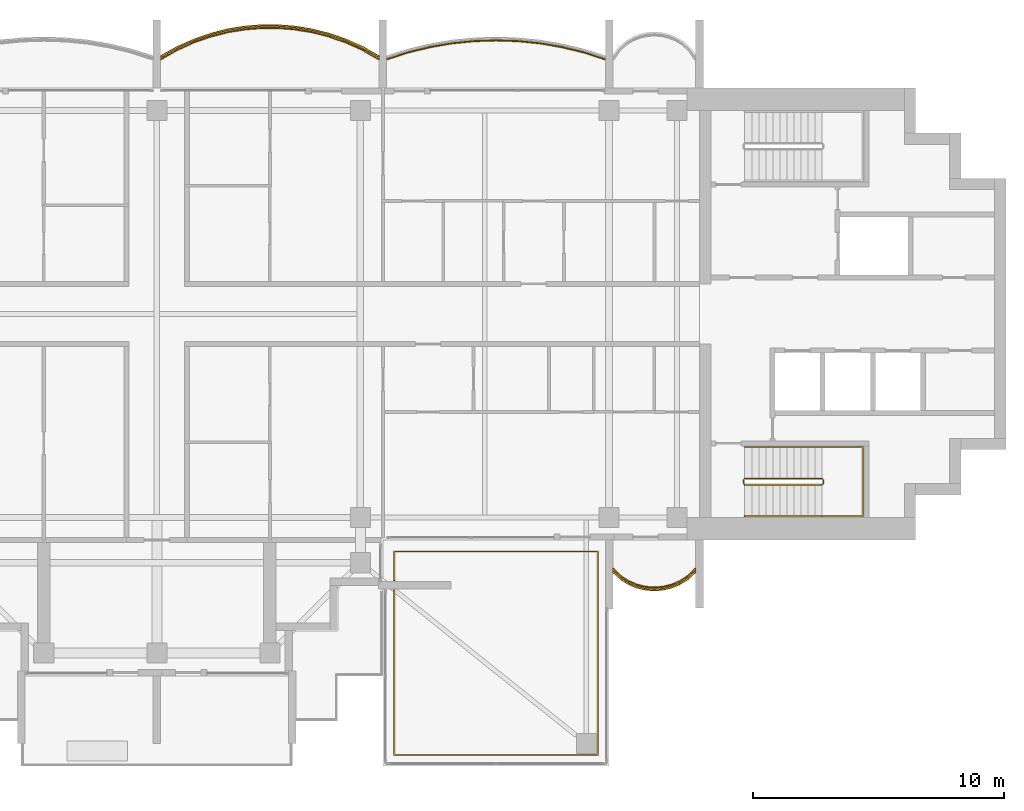
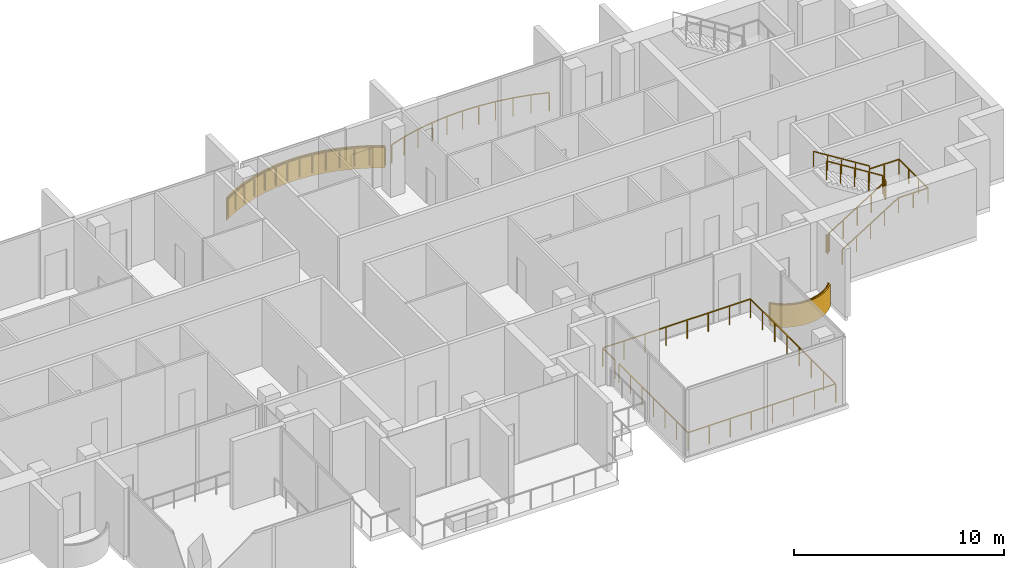
# One storey, part 15 of 16: 6 railings, 2 coverings.
"""IFC4 building model written with IfcOpenShell, lengths in metres."""

import ifcopenshell
import ifcopenshell.guid

model = None  # the IFC model being written
_history = None  # IfcOwnerHistory: only IFC2X3 demands one
_inside = {}  # id of a spatial element -> (the spatial element, [elements in it])
_under = {}  # id of a project, library or spatial element -> (it, [spatial elements below it])
_declared = {}  # id of a project -> (the project, [libraries it declares])
_typed = {}  # id of a type object -> (the type object, [elements of that type])
_made_of = {}  # id of a material, layer set ... -> (it, [elements and type objects made of it])


def new_model(schema):
    """Start an empty IFC model of exactly this schema.

    Asked for "IFC4X3", IfcOpenShell would pick the latest addendum, in which some entities
    have other attributes; the version numbers below select the first issue.
    IFC2X3 requires an IfcOwnerHistory on every rooted entity: one is made here for all.
    """
    global model, _history
    if schema == "IFC4X3":
        model = ifcopenshell.file(schema_version=(4, 3, 0, 0))
    else:
        model = ifcopenshell.file(schema=schema)
    _inside.clear()
    _under.clear()
    _declared.clear()
    _typed.clear()
    _made_of.clear()
    _history = None
    if model.schema == "IFC2X3":
        org = make("IfcOrganization", Name="unknown")
        user = make(
            "IfcPersonAndOrganization",
            ThePerson=make("IfcPerson", FamilyName="unknown"),
            TheOrganization=org,
        )
        app = make(
            "IfcApplication",
            ApplicationDeveloper=org,
            Version="unknown",
            ApplicationFullName="unknown",
            ApplicationIdentifier="unknown",
        )
        _history = make(
            "IfcOwnerHistory",
            OwningUser=user,
            OwningApplication=app,
            ChangeAction="ADDED",
            CreationDate=0,
        )
    return model


def make(cls, **values):
    """One entity of the class cls with the attributes given. An attribute that is None is left unset."""
    return model.create_entity(
        cls, **{name: value for name, value in values.items() if value is not None}
    )


def rooted(cls, **values):
    """An entity with a GlobalId (a new one), such as an element, a storey or a relation."""
    return make(cls, GlobalId=ifcopenshell.guid.new(), OwnerHistory=_history, **values)


def si_unit(unit_type, name, prefix=None):
    """IfcSIUnit, for example si_unit("LENGTHUNIT", "METRE", prefix="MILLI")."""
    return make("IfcSIUnit", UnitType=unit_type, Prefix=prefix, Name=name)


def assignment(units):
    """IfcUnitAssignment: the units of a project."""
    return None if units is None else make("IfcUnitAssignment", Units=units)


def point(xyz):
    """IfcCartesianPoint."""
    return None if xyz is None else make("IfcCartesianPoint", Coordinates=xyz)


def direction(xyz):
    """IfcDirection."""
    return None if xyz is None else make("IfcDirection", DirectionRatios=xyz)


def frame(location, z_axis=None, x_axis=None):
    """IfcAxis2Placement3D, a coordinate frame: its origin and axes. An axis left out is left unset."""
    return make(
        "IfcAxis2Placement3D",
        Location=point(location),
        Axis=direction(z_axis),
        RefDirection=direction(x_axis),
    )


def frame_2d(location, x_axis=None):
    """IfcAxis2Placement2D, a coordinate frame in the plane: its origin and x axis."""
    return make(
        "IfcAxis2Placement2D", Location=point(location), RefDirection=direction(x_axis)
    )


def origin():
    """The frame at (0, 0, 0) with its axes left unset."""
    return frame((0.0, 0.0, 0.0))


def origin_2d():
    """The frame at (0, 0) in the plane with its x axis left unset."""
    return frame_2d((0.0, 0.0))


def place(relative_to, where):
    """IfcLocalPlacement: puts the frame where relative to a parent placement (None: the world)."""
    return make(
        "IfcLocalPlacement", PlacementRelTo=relative_to, RelativePlacement=where
    )


def context(
    kind, dimensions, precision=None, world=None, true_north=None, identifier=None
):
    """IfcGeometricRepresentationContext, for example the 3D "Model" context."""
    return make(
        "IfcGeometricRepresentationContext",
        ContextIdentifier=identifier,
        ContextType=kind,
        CoordinateSpaceDimension=dimensions,
        Precision=precision,
        WorldCoordinateSystem=world,
        TrueNorth=true_north,
    )


def subcontext(parent, identifier, kind, view, scale=None):
    """IfcGeometricRepresentationSubContext, for example "Body" below "Model"."""
    return make(
        "IfcGeometricRepresentationSubContext",
        ContextIdentifier=identifier,
        ContextType=kind,
        ParentContext=parent,
        TargetScale=scale,
        TargetView=view,
    )


def project(units=None, contexts=None):
    """IfcProject with its units and contexts."""
    return rooted(
        "IfcProject",
        Name="project",
        RepresentationContexts=contexts,
        UnitsInContext=assignment(units),
    )


def spatial(cls, under=None, at=None, **own):
    """A site, building, storey or space (cls), placed at a placement, below another one or the project."""
    s = rooted(cls, ObjectPlacement=at, **own)
    if under is not None:
        _under.setdefault(under.id(), (under, []))[1].append(s)
    return s


def polyline(points):
    """IfcPolyline through the points."""
    return make("IfcPolyline", Points=[point(p) for p in points])


def profile(cls, at=None, kind="AREA", **sizes):
    """A parametric profile (cls). Its sizes go by their IFC names, for example OverallWidth=200.0."""
    return make(cls, ProfileType=kind, Position=at, **sizes)


def rectangle(**sizes):
    """IfcRectangleProfileDef."""
    return profile("IfcRectangleProfileDef", **sizes)


def outline(outer, holes=None, kind="AREA"):
    """IfcArbitraryClosedProfileDef: a profile drawn as a closed curve; with holes, ...WithVoids."""
    if holes is None:
        return make("IfcArbitraryClosedProfileDef", ProfileType=kind, OuterCurve=outer)
    return make(
        "IfcArbitraryProfileDefWithVoids",
        ProfileType=kind,
        OuterCurve=outer,
        InnerCurves=holes,
    )


def extrude(swept, where, along, depth):
    """IfcExtrudedAreaSolid: the profile swept, set in the frame where, extruded along a direction by depth."""
    return make(
        "IfcExtrudedAreaSolid",
        SweptArea=swept,
        Position=where,
        ExtrudedDirection=direction(along),
        Depth=depth,
    )


def shape(context_of_items, identifier, shape_type, items):
    """IfcShapeRepresentation: the items that make up one representation, for example the "Body"."""
    return make(
        "IfcShapeRepresentation",
        ContextOfItems=context_of_items,
        RepresentationIdentifier=identifier,
        RepresentationType=shape_type,
        Items=items,
    )


def material(Name=None, Category=None):
    """IfcMaterial."""
    return make("IfcMaterial", Name=Name, Category=Category)


def layer(
    of_material, thickness, ventilated=None, Name=None, Category=None, Priority=None
):
    """IfcMaterialLayer: one layer of a wall or slab, of a material (None: an air gap)."""
    return make(
        "IfcMaterialLayer",
        Material=of_material,
        LayerThickness=thickness,
        IsVentilated=ventilated,
        Name=Name,
        Category=Category,
        Priority=Priority,
    )


def layer_set(layers, Name=None):
    """IfcMaterialLayerSet."""
    return make("IfcMaterialLayerSet", MaterialLayers=layers, LayerSetName=Name)


def made_of(thing, what):
    """Note that an element or type object is made of a material, layer set ...; save() writes the relation."""
    if what is not None:
        _made_of.setdefault(what.id(), (what, []))[1].append(thing)
    return thing


def type_object(cls, material=None, **own):
    """A type object (cls), such as IfcWallType, which elements share."""
    return made_of(rooted(cls, **own), material)


def element(
    cls,
    number,
    at=None,
    inside=None,
    cuts=None,
    type_object=None,
    material=None,
    context=None,
    identifier="Body",
    shape_type=None,
    held_by="IfcProductDefinitionShape",
    body=None,
    shapes=None,
    **own,
):
    """One element of the class cls, such as IfcWall. Its Tag is "e" and its number.

    at: its placement. inside: the storey or other place that contains it. cuts: it is an
    opening in that element (IfcRelVoidsElement). A single representation is given by context,
    identifier, shape_type and body (its items); several are given by shapes. held_by: the class
    of the entity that holds the representations. save() writes the other relations.
    """
    e = rooted(cls, Tag="e%d" % number, ObjectPlacement=at, **own)
    if body is not None:
        shapes = [shape(context, identifier, shape_type, body)]
    if shapes is not None:
        e.Representation = make(held_by, Representations=shapes)
    if inside is not None:
        _inside.setdefault(inside.id(), (inside, []))[1].append(e)
    if cuts is not None:
        rooted(
            "IfcRelVoidsElement", RelatingBuildingElement=cuts, RelatedOpeningElement=e
        )
    if type_object is not None:
        _typed.setdefault(type_object.id(), (type_object, []))[1].append(e)
    return made_of(e, material)


def aggregate(whole, parts):
    """IfcRelAggregates: a whole, such as a stair, and the parts it consists of."""
    return rooted("IfcRelAggregates", RelatingObject=whole, RelatedObjects=parts)


def save(model, path):
    """Write the relations noted so far, then the file.

    IfcRelAggregates (storeys below a building ...), IfcRelContainedInSpatialStructure (elements
    in a storey), IfcRelDefinesByType, IfcRelAssociatesMaterial and IfcRelDeclares: one each for
    every whole, place, type object, material and project.
    """
    for whole, parts in _under.values():
        aggregate(whole, parts)
    for where, things in _inside.values():
        rooted(
            "IfcRelContainedInSpatialStructure",
            RelatedElements=things,
            RelatingStructure=where,
        )
    for kind, things in _typed.values():
        rooted("IfcRelDefinesByType", RelatedObjects=things, RelatingType=kind)
    for what, things in _made_of.values():
        rooted("IfcRelAssociatesMaterial", RelatedObjects=things, RelatingMaterial=what)
    for by, libraries in _declared.values():
        rooted("IfcRelDeclares", RelatingContext=by, RelatedDefinitions=libraries)
    model.write(path)


model = new_model("IFC4")

# Units and contexts
model_context = context("Model", 3, precision=1e-05, world=origin(), true_north=direction((0.0, 1.0)))
body_context = subcontext(model_context, "Body", "Model", "MODEL_VIEW")
ifc_project = project(units=[si_unit("LENGTHUNIT", "METRE"), si_unit("AREAUNIT", "SQUARE_METRE"), si_unit("VOLUMEUNIT", "CUBIC_METRE"), si_unit("PLANEANGLEUNIT", "RADIAN"), si_unit("MASSUNIT", "GRAM", prefix="KILO")], contexts=[model_context])

# Site, building, storey
site_placement = place(None, origin())
site = spatial("IfcSite", under=ifc_project, at=site_placement, CompositionType="ELEMENT")
building_placement = place(site_placement, origin())
building = spatial("IfcBuilding", under=site, at=building_placement, Name="Perihelion Cross Residences", CompositionType="ELEMENT")
storey_placement = place(building_placement, frame((0.0, 0.0, 290.39990234375)))
storey = spatial("IfcBuildingStorey", under=building, at=storey_placement, Name="L74", CompositionType="ELEMENT", Elevation=290.39990234375)

# Coverings
ifc_material_1 = material(Name="Bronze anodised aluminium", Category="aluminium")
ifc_layer = layer(ifc_material_1, 0.070068359375)
ifc_layer_set = layer_set([ifc_layer], Name="Balcony fascia 1300")
covering_type = type_object("IfcCoveringType", Name="Balcony fascia 1300", PredefinedType="CLADDING", material=ifc_layer_set)
covering_1_placement = place(storey_placement, frame((0.0, 0.0, -0.199951171875)))
element("IfcCovering", 1, at=covering_1_placement, inside=storey, type_object=covering_type, Name="Fascia BF1 L74 north side east bay 1", PredefinedType="CLADDING", context=body_context, shape_type="SweptSolid", body=[
    extrude(outline(polyline([(8.212158203125, 10.63916015625), (7.537353515625, 10.941650390625), (6.8623046875, 11.175048828125), (6.1875, 11.345947265625), (5.512451171875, 11.457763671875), (4.83740234375, 11.51318359375), (4.16259765625, 11.51318359375), (3.487548828125, 11.457763671875), (2.8125, 11.345947265625), (2.1376953125, 11.175048828125), (1.462646484375, 10.941650390625), (0.787841796875, 10.63916015625), (0.14990234375, 10.2802734375), (0.14990234375, 10.199951171875), (0.8193359375, 10.57666015625), (1.488525390625, 10.87646484375), (2.15771484375, 11.108154296875), (2.826904296875, 11.27734375), (3.49609375, 11.38818359375), (4.165283203125, 11.443115234375), (4.834716796875, 11.443115234375), (5.50390625, 11.38818359375), (6.173095703125, 11.27734375), (6.84228515625, 11.108154296875), (7.511474609375, 10.87646484375), (8.1806640625, 10.57666015625), (8.85009765625, 10.199951171875), (8.85009765625, 10.2802734375), (8.212158203125, 10.63916015625)])), origin(), (0.0, 0.0, 1.0), 1.300048828125),
])
covering_2_placement = place(storey_placement, frame((0.0, 0.0, -0.199951171875)))
element("IfcCovering", 2, at=covering_2_placement, inside=storey, type_object=covering_type, Name="Fascia BF1 L74 east side south bay 2", PredefinedType="CLADDING", context=body_context, shape_type="SweptSolid", body=[
    extrude(outline(polyline([(18.4375, -10.56298828125), (18.778076171875, -10.77587890625), (19.11865234375, -10.914794921875), (19.45947265625, -10.994140625), (19.800048828125, -11.02001953125), (20.140625, -10.994140625), (20.481201171875, -10.914794921875), (20.82177734375, -10.77587890625), (21.16259765625, -10.56298828125), (21.449951171875, -10.295654296875), (21.449951171875, -10.199951171875), (21.1201171875, -10.507568359375), (20.7900390625, -10.71337890625), (20.4599609375, -10.84814453125), (20.1298828125, -10.925048828125), (19.800048828125, -10.949951171875), (19.469970703125, -10.925048828125), (19.139892578125, -10.84814453125), (18.81005859375, -10.71337890625), (18.47998046875, -10.507568359375), (18.14990234375, -10.199951171875), (18.14990234375, -10.295654296875), (18.4375, -10.56298828125)])), origin(), (0.0, 0.0, 1.0), 1.300048828125),
])

# Railings
ifc_material_2 = material(Name="Bronze anodised aluminium", Category="aluminium")
railing_type_1 = type_object("IfcRailingType", Name="Balcony guard 1100", PredefinedType="GUARDRAIL", material=ifc_material_2)
railing_1_placement = place(storey_placement, frame((17.824951171875, 10.139892578125, 0.0)))
element("IfcRailing", 3, at=railing_1_placement, inside=storey, type_object=railing_type_1, Name="Guard GU1 L74 east side north bay 2 balcony", PredefinedType="GUARDRAIL", context=body_context, shape_type="SweptSolid", body=[
    extrude(rectangle(XDim=0.048095703125, YDim=0.048095703125, at=origin_2d()), frame((0.0, 0.0, 1.076171875), z_axis=(-0.950777354264, 0.30987484993, 0.0), x_axis=(-0.30987484993, -0.950777354264, 0.0)), (0.0, 0.0, 1.0), 0.888671875),
    extrude(rectangle(XDim=0.048095703125, YDim=0.048095703125, at=origin_2d()), frame((-0.844970703125, 0.275390625, 1.076171875), z_axis=(-0.972146551129, 0.234373810671, 0.0), x_axis=(-0.234373810671, -0.972146551129, 0.0)), (0.0, 0.0, 1.0), 0.894775390625),
    extrude(rectangle(XDim=0.048095703125, YDim=0.048095703125, at=origin_2d()), frame((-1.71484375, 0.485107421875, 1.076171875), z_axis=(-0.985850361727, 0.167627755108, 0.0), x_axis=(-0.167627755108, -0.985850361727, 0.0)), (0.0, 0.0, 1.0), 0.882568359375),
    extrude(rectangle(XDim=0.048095703125, YDim=0.048095703125, at=origin_2d()), frame((-2.5849609375, 0.633056640625, 1.076171875), z_axis=(-0.994934368303, 0.100526627165, 0.0), x_axis=(-0.100526627165, -0.994934368303, 0.0)), (0.0, 0.0, 1.0), 0.874267578125),
    extrude(rectangle(XDim=0.048095703125, YDim=0.048095703125, at=origin_2d()), frame((-3.454833984375, 0.720947265625, 1.076171875), z_axis=(-0.999443037968, 0.0333708534, 0.0), x_axis=(-0.0333708534, -0.999443037968, 0.0)), (0.0, 0.0, 1.0), 0.87060546875),
    extrude(rectangle(XDim=0.048095703125, YDim=0.048095703125, at=origin_2d()), frame((-4.324951171875, 0.75, 1.076171875), z_axis=(-0.999443037968, -0.0333708534, 0.0), x_axis=(0.0333708534, -0.999443037968, 0.0)), (0.0, 0.0, 1.0), 0.87060546875),
    extrude(rectangle(XDim=0.048095703125, YDim=0.048095703125, at=origin_2d()), frame((-5.195068359375, 0.720947265625, 1.076171875), z_axis=(-0.994934368303, -0.100526627165, 0.0), x_axis=(0.100526627165, -0.994934368303, 0.0)), (0.0, 0.0, 1.0), 0.874267578125),
    extrude(rectangle(XDim=0.048095703125, YDim=0.048095703125, at=origin_2d()), frame((-6.06494140625, 0.633056640625, 1.076171875), z_axis=(-0.985850361727, -0.167627755108, 0.0), x_axis=(0.167627755108, -0.985850361727, 0.0)), (0.0, 0.0, 1.0), 0.882568359375),
    extrude(rectangle(XDim=0.048095703125, YDim=0.048095703125, at=origin_2d()), frame((-6.93505859375, 0.485107421875, 1.076171875), z_axis=(-0.972146551129, -0.234373810671, 0.0), x_axis=(0.234373810671, -0.972146551129, 0.0)), (0.0, 0.0, 1.0), 0.894775390625),
    extrude(rectangle(XDim=0.048095703125, YDim=0.048095703125, at=origin_2d()), frame((-7.804931640625, 0.275390625, 1.076171875), z_axis=(-0.950777354264, -0.30987484993, 0.0), x_axis=(0.30987484993, -0.950777354264, 0.0)), (0.0, 0.0, 1.0), 0.888671875),
    extrude(rectangle(XDim=0.0419921875, YDim=0.0419921875, at=origin_2d()), origin(), (0.0, 0.0, 1.0), 1.052001953125),
    extrude(rectangle(XDim=0.0419921875, YDim=0.0419921875, at=origin_2d()), frame((-0.844970703125, 0.275390625, 0.0)), (0.0, 0.0, 1.0), 1.052001953125),
    extrude(rectangle(XDim=0.0419921875, YDim=0.0419921875, at=origin_2d()), frame((-1.71484375, 0.485107421875, 0.0)), (0.0, 0.0, 1.0), 1.052001953125),
    extrude(rectangle(XDim=0.0419921875, YDim=0.0419921875, at=origin_2d()), frame((-2.5849609375, 0.633056640625, 0.0)), (0.0, 0.0, 1.0), 1.052001953125),
    extrude(rectangle(XDim=0.0419921875, YDim=0.0419921875, at=origin_2d()), frame((-3.454833984375, 0.720947265625, 0.0)), (0.0, 0.0, 1.0), 1.052001953125),
    extrude(rectangle(XDim=0.0419921875, YDim=0.0419921875, at=origin_2d()), frame((-4.324951171875, 0.75, 0.0)), (0.0, 0.0, 1.0), 1.052001953125),
    extrude(rectangle(XDim=0.0419921875, YDim=0.0419921875, at=origin_2d()), frame((-5.195068359375, 0.720947265625, 0.0)), (0.0, 0.0, 1.0), 1.052001953125),
    extrude(rectangle(XDim=0.0419921875, YDim=0.0419921875, at=origin_2d()), frame((-6.06494140625, 0.633056640625, 0.0)), (0.0, 0.0, 1.0), 1.052001953125),
    extrude(rectangle(XDim=0.0419921875, YDim=0.0419921875, at=origin_2d()), frame((-6.93505859375, 0.485107421875, 0.0)), (0.0, 0.0, 1.0), 1.052001953125),
    extrude(rectangle(XDim=0.0419921875, YDim=0.0419921875, at=origin_2d()), frame((-7.804931640625, 0.275390625, 0.0)), (0.0, 0.0, 1.0), 1.052001953125),
    extrude(rectangle(XDim=0.0419921875, YDim=0.0419921875, at=origin_2d()), frame((-8.64990234375, 0.0, 0.0)), (0.0, 0.0, 1.0), 1.052001953125),
])
railing_2_placement = place(storey_placement, frame((8.824951171875, 10.139892578125, 0.0)))
element("IfcRailing", 4, at=railing_2_placement, inside=storey, type_object=railing_type_1, Name="Guard GU1 L74 north side east bay 1 balcony", PredefinedType="GUARDRAIL", context=body_context, shape_type="SweptSolid", body=[
    extrude(rectangle(XDim=0.048095703125, YDim=0.048095703125, at=origin_2d()), frame((0.0, 0.0, 1.076171875), z_axis=(-0.863125740505, 0.504989065305, 0.0), x_axis=(-0.504989065305, -0.863125740505, 0.0)), (0.0, 0.0, 1.0), 0.746337890625),
    extrude(rectangle(XDim=0.048095703125, YDim=0.048095703125, at=origin_2d()), frame((-0.644287109375, 0.376953125, 1.076171875), z_axis=(-0.912723499295, 0.408577794103, 0.0), x_axis=(-0.408577794103, -0.912723499295, 0.0)), (0.0, 0.0, 1.0), 0.733154296875),
    extrude(rectangle(XDim=0.048095703125, YDim=0.048095703125, at=origin_2d()), frame((-1.3134765625, 0.676513671875, 1.076171875), z_axis=(-0.944965577734, 0.327169767701, 0.0), x_axis=(-0.327169767701, -0.944965577734, 0.0)), (0.0, 0.0, 1.0), 0.708251953125),
    extrude(rectangle(XDim=0.048095703125, YDim=0.048095703125, at=origin_2d()), frame((-1.982666015625, 0.908203125, 1.076171875), z_axis=(-0.96949408574, 0.245114703181, 0.0), x_axis=(-0.245114703181, -0.96949408574, 0.0)), (0.0, 0.0, 1.0), 0.690185546875),
    extrude(rectangle(XDim=0.048095703125, YDim=0.048095703125, at=origin_2d()), frame((-2.65185546875, 1.077392578125, 1.076171875), z_axis=(-0.986500713816, 0.163756959061, 0.0), x_axis=(-0.163756959061, -0.986500713816, 0.0)), (0.0, 0.0, 1.0), 0.678466796875),
    extrude(rectangle(XDim=0.048095703125, YDim=0.048095703125, at=origin_2d()), frame((-3.321044921875, 1.1884765625, 1.076171875), z_axis=(-0.996677390684, 0.081450468994, 0.0), x_axis=(-0.081450468994, -0.996677390684, 0.0)), (0.0, 0.0, 1.0), 0.67138671875),
    extrude(rectangle(XDim=0.048095703125, YDim=0.048095703125, at=origin_2d()), frame((-3.990234375, 1.2431640625, 1.076171875), z_axis=(-1.0, 0.0, 0.0), x_axis=(0.0, -1.0, 0.0)), (0.0, 0.0, 1.0), 0.66943359375),
    extrude(rectangle(XDim=0.048095703125, YDim=0.048095703125, at=origin_2d()), frame((-4.65966796875, 1.2431640625, 1.076171875), z_axis=(-0.996677390684, -0.081450468994, 0.0), x_axis=(0.081450468994, -0.996677390684, 0.0)), (0.0, 0.0, 1.0), 0.67138671875),
    extrude(rectangle(XDim=0.048095703125, YDim=0.048095703125, at=origin_2d()), frame((-5.328857421875, 1.1884765625, 1.076171875), z_axis=(-0.986500713816, -0.163756959061, 0.0), x_axis=(0.163756959061, -0.986500713816, 0.0)), (0.0, 0.0, 1.0), 0.678466796875),
    extrude(rectangle(XDim=0.048095703125, YDim=0.048095703125, at=origin_2d()), frame((-5.998046875, 1.077392578125, 1.076171875), z_axis=(-0.96949408574, -0.245114703181, 0.0), x_axis=(0.245114703181, -0.96949408574, 0.0)), (0.0, 0.0, 1.0), 0.690185546875),
    extrude(rectangle(XDim=0.048095703125, YDim=0.048095703125, at=origin_2d()), frame((-6.667236328125, 0.908203125, 1.076171875), z_axis=(-0.944965577734, -0.327169767701, 0.0), x_axis=(0.327169767701, -0.944965577734, 0.0)), (0.0, 0.0, 1.0), 0.708251953125),
    extrude(rectangle(XDim=0.048095703125, YDim=0.048095703125, at=origin_2d()), frame((-7.33642578125, 0.676513671875, 1.076171875), z_axis=(-0.912723499295, -0.408577794103, 0.0), x_axis=(0.408577794103, -0.912723499295, 0.0)), (0.0, 0.0, 1.0), 0.733154296875),
    extrude(rectangle(XDim=0.048095703125, YDim=0.048095703125, at=origin_2d()), frame((-8.005615234375, 0.376953125, 1.076171875), z_axis=(-0.863125740505, -0.504989065305, 0.0), x_axis=(0.504989065305, -0.863125740505, 0.0)), (0.0, 0.0, 1.0), 0.746337890625),
    extrude(rectangle(XDim=0.0419921875, YDim=0.0419921875, at=origin_2d()), origin(), (0.0, 0.0, 1.0), 1.052001953125),
    extrude(rectangle(XDim=0.0419921875, YDim=0.0419921875, at=origin_2d()), frame((-0.644287109375, 0.376953125, 0.0)), (0.0, 0.0, 1.0), 1.052001953125),
    extrude(rectangle(XDim=0.0419921875, YDim=0.0419921875, at=origin_2d()), frame((-1.3134765625, 0.676513671875, 0.0)), (0.0, 0.0, 1.0), 1.052001953125),
    extrude(rectangle(XDim=0.0419921875, YDim=0.0419921875, at=origin_2d()), frame((-1.982666015625, 0.908203125, 0.0)), (0.0, 0.0, 1.0), 1.052001953125),
    extrude(rectangle(XDim=0.0419921875, YDim=0.0419921875, at=origin_2d()), frame((-2.65185546875, 1.077392578125, 0.0)), (0.0, 0.0, 1.0), 1.052001953125),
    extrude(rectangle(XDim=0.0419921875, YDim=0.0419921875, at=origin_2d()), frame((-3.321044921875, 1.1884765625, 0.0)), (0.0, 0.0, 1.0), 1.052001953125),
    extrude(rectangle(XDim=0.0419921875, YDim=0.0419921875, at=origin_2d()), frame((-3.990234375, 1.2431640625, 0.0)), (0.0, 0.0, 1.0), 1.052001953125),
    extrude(rectangle(XDim=0.0419921875, YDim=0.0419921875, at=origin_2d()), frame((-4.65966796875, 1.2431640625, 0.0)), (0.0, 0.0, 1.0), 1.052001953125),
    extrude(rectangle(XDim=0.0419921875, YDim=0.0419921875, at=origin_2d()), frame((-5.328857421875, 1.1884765625, 0.0)), (0.0, 0.0, 1.0), 1.052001953125),
    extrude(rectangle(XDim=0.0419921875, YDim=0.0419921875, at=origin_2d()), frame((-5.998046875, 1.077392578125, 0.0)), (0.0, 0.0, 1.0), 1.052001953125),
    extrude(rectangle(XDim=0.0419921875, YDim=0.0419921875, at=origin_2d()), frame((-6.667236328125, 0.908203125, 0.0)), (0.0, 0.0, 1.0), 1.052001953125),
    extrude(rectangle(XDim=0.0419921875, YDim=0.0419921875, at=origin_2d()), frame((-7.33642578125, 0.676513671875, 0.0)), (0.0, 0.0, 1.0), 1.052001953125),
    extrude(rectangle(XDim=0.0419921875, YDim=0.0419921875, at=origin_2d()), frame((-8.005615234375, 0.376953125, 0.0)), (0.0, 0.0, 1.0), 1.052001953125),
    extrude(rectangle(XDim=0.0419921875, YDim=0.0419921875, at=origin_2d()), frame((-8.64990234375, 0.0, 0.0)), (0.0, 0.0, 1.0), 1.052001953125),
])
railing_3_placement = place(storey_placement, frame((18.175048828125, -10.139892578125, 0.0)))
element("IfcRailing", 5, at=railing_3_placement, inside=storey, type_object=railing_type_1, Name="Guard GU1 L74 east side south bay 2 balcony", PredefinedType="GUARDRAIL", context=body_context, shape_type="SweptSolid", body=[
    extrude(rectangle(XDim=0.048095703125, YDim=0.048095703125, at=origin_2d()), frame((0.0, 0.0, 1.076171875), z_axis=(0.703999905859, -0.710200065158, 0.0), x_axis=(0.710200065158, 0.703999905859, 0.0)), (0.0, 0.0, 1.0), 0.43310546875),
    extrude(rectangle(XDim=0.048095703125, YDim=0.048095703125, at=origin_2d()), frame((0.304931640625, -0.3076171875, 1.076171875), z_axis=(0.848280173265, -0.529547682127, 0.0), x_axis=(0.529547682127, 0.848280173265, 0.0)), (0.0, 0.0, 1.0), 0.38916015625),
    extrude(rectangle(XDim=0.048095703125, YDim=0.048095703125, at=origin_2d()), frame((0.635009765625, -0.513671875, 1.076171875), z_axis=(0.925950379976, -0.377645195682, 0.0), x_axis=(0.377645195682, 0.925950379976, 0.0)), (0.0, 0.0, 1.0), 0.356201171875),
    extrude(rectangle(XDim=0.048095703125, YDim=0.048095703125, at=origin_2d()), frame((0.96484375, -0.648193359375, 1.076171875), z_axis=(0.97391554583, -0.226910796551, 0.0), x_axis=(0.226910796551, 0.97391554583, 0.0)), (0.0, 0.0, 1.0), 0.3388671875),
    extrude(rectangle(XDim=0.048095703125, YDim=0.048095703125, at=origin_2d()), frame((1.294921875, -0.72509765625, 1.076171875), z_axis=(0.997166208737, -0.075229995038, 0.0), x_axis=(0.075229995038, 0.997166208737, 0.0)), (0.0, 0.0, 1.0), 0.3310546875),
    extrude(rectangle(XDim=0.048095703125, YDim=0.048095703125, at=origin_2d()), frame((1.625, -0.75, 1.076171875), z_axis=(0.997162029931, 0.075285364214, 0.0), x_axis=(-0.075285364214, 0.997162029931, 0.0)), (0.0, 0.0, 1.0), 0.330810546875),
    extrude(rectangle(XDim=0.048095703125, YDim=0.048095703125, at=origin_2d()), frame((1.954833984375, -0.72509765625, 1.076171875), z_axis=(0.97391554583, 0.226910796551, 0.0), x_axis=(-0.226910796551, 0.97391554583, 0.0)), (0.0, 0.0, 1.0), 0.3388671875),
    extrude(rectangle(XDim=0.048095703125, YDim=0.048095703125, at=origin_2d()), frame((2.284912109375, -0.648193359375, 1.076171875), z_axis=(0.926048033295, 0.377405670374, 0.0), x_axis=(-0.377405670374, 0.926048033295, 0.0)), (0.0, 0.0, 1.0), 0.3564453125),
    extrude(rectangle(XDim=0.048095703125, YDim=0.048095703125, at=origin_2d()), frame((2.614990234375, -0.513671875, 1.076171875), z_axis=(0.848280173265, 0.529547682127, 0.0), x_axis=(-0.529547682127, 0.848280173265, 0.0)), (0.0, 0.0, 1.0), 0.38916015625),
    extrude(rectangle(XDim=0.048095703125, YDim=0.048095703125, at=origin_2d()), frame((2.945068359375, -0.3076171875, 1.076171875), z_axis=(0.703999905859, 0.710200065158, 0.0), x_axis=(-0.710200065158, 0.703999905859, 0.0)), (0.0, 0.0, 1.0), 0.43310546875),
    extrude(rectangle(XDim=0.0419921875, YDim=0.0419921875, at=origin_2d()), origin(), (0.0, 0.0, 1.0), 1.052001953125),
    extrude(rectangle(XDim=0.0419921875, YDim=0.0419921875, at=origin_2d()), frame((0.304931640625, -0.3076171875, 0.0)), (0.0, 0.0, 1.0), 1.052001953125),
    extrude(rectangle(XDim=0.0419921875, YDim=0.0419921875, at=origin_2d()), frame((0.635009765625, -0.513671875, 0.0)), (0.0, 0.0, 1.0), 1.052001953125),
    extrude(rectangle(XDim=0.0419921875, YDim=0.0419921875, at=origin_2d()), frame((0.96484375, -0.648193359375, 0.0)), (0.0, 0.0, 1.0), 1.052001953125),
    extrude(rectangle(XDim=0.0419921875, YDim=0.0419921875, at=origin_2d()), frame((1.294921875, -0.72509765625, 0.0)), (0.0, 0.0, 1.0), 1.052001953125),
    extrude(rectangle(XDim=0.0419921875, YDim=0.0419921875, at=origin_2d()), frame((1.625, -0.75, 0.0)), (0.0, 0.0, 1.0), 1.052001953125),
    extrude(rectangle(XDim=0.0419921875, YDim=0.0419921875, at=origin_2d()), frame((1.954833984375, -0.72509765625, 0.0)), (0.0, 0.0, 1.0), 1.052001953125),
    extrude(rectangle(XDim=0.0419921875, YDim=0.0419921875, at=origin_2d()), frame((2.284912109375, -0.648193359375, 0.0)), (0.0, 0.0, 1.0), 1.052001953125),
    extrude(rectangle(XDim=0.0419921875, YDim=0.0419921875, at=origin_2d()), frame((2.614990234375, -0.513671875, 0.0)), (0.0, 0.0, 1.0), 1.052001953125),
    extrude(rectangle(XDim=0.0419921875, YDim=0.0419921875, at=origin_2d()), frame((2.945068359375, -0.3076171875, 0.0)), (0.0, 0.0, 1.0), 1.052001953125),
    extrude(rectangle(XDim=0.0419921875, YDim=0.0419921875, at=origin_2d()), frame((3.25, 0.0, 0.0)), (0.0, 0.0, 1.0), 1.052001953125),
])
railing_4_placement = place(storey_placement, frame((9.449951171875, -10.610107421875, 0.0)))
element("IfcRailing", 6, at=railing_4_placement, inside=storey, type_object=railing_type_1, Name="Guard GU1 L74 pocket south-east 1", PredefinedType="GUARDRAIL", context=body_context, shape_type="SweptSolid", body=[
    extrude(rectangle(XDim=0.048095703125, YDim=0.048095703125, at=origin_2d()), frame((0.0, 0.0, 1.076171875), z_axis=(0.0, 1.0, 0.0), x_axis=(-1.0, 0.0, 0.0)), (0.0, 0.0, 1.0), 1.16015625),
    extrude(rectangle(XDim=0.048095703125, YDim=0.048095703125, at=origin_2d()), frame((0.0, 1.16015625, 1.076171875), z_axis=(1.0, 0.0, 0.0), x_axis=(0.0, 1.0, 0.0)), (0.0, 0.0, 1.0), 8.10009765625),
    extrude(rectangle(XDim=0.048095703125, YDim=0.048095703125, at=origin_2d()), frame((8.10009765625, 1.16015625, 1.076171875), z_axis=(0.0, -1.0, 0.0), x_axis=(1.0, 0.0, 0.0)), (0.0, 0.0, 1.0), 8.10009765625),
    extrude(rectangle(XDim=0.048095703125, YDim=0.048095703125, at=origin_2d()), frame((8.10009765625, -6.93994140625, 1.076171875), z_axis=(-1.0, 0.0, 0.0), x_axis=(0.0, -1.0, 0.0)), (0.0, 0.0, 1.0), 8.10009765625),
    extrude(rectangle(XDim=0.048095703125, YDim=0.048095703125, at=origin_2d()), frame((0.0, -6.93994140625, 1.076171875), z_axis=(0.0, 1.0, 0.0), x_axis=(-1.0, 0.0, 0.0)), (0.0, 0.0, 1.0), 6.56005859375),
    extrude(rectangle(XDim=0.0419921875, YDim=0.0419921875, at=origin_2d()), origin(), (0.0, 0.0, 1.0), 1.052001953125),
    extrude(rectangle(XDim=0.0419921875, YDim=0.0419921875, at=origin_2d()), frame((0.0, 1.16015625, 0.0)), (0.0, 0.0, 1.0), 1.052001953125),
    extrude(rectangle(XDim=0.0419921875, YDim=0.0419921875, at=origin_2d()), frame((1.1572265625, 1.16015625, 0.0)), (0.0, 0.0, 1.0), 1.052001953125),
    extrude(rectangle(XDim=0.0419921875, YDim=0.0419921875, at=origin_2d()), frame((2.314208984375, 1.16015625, 0.0)), (0.0, 0.0, 1.0), 1.052001953125),
    extrude(rectangle(XDim=0.0419921875, YDim=0.0419921875, at=origin_2d()), frame((3.471435546875, 1.16015625, 0.0)), (0.0, 0.0, 1.0), 1.052001953125),
    extrude(rectangle(XDim=0.0419921875, YDim=0.0419921875, at=origin_2d()), frame((4.628662109375, 1.16015625, 0.0)), (0.0, 0.0, 1.0), 1.052001953125),
    extrude(rectangle(XDim=0.0419921875, YDim=0.0419921875, at=origin_2d()), frame((5.785888671875, 1.16015625, 0.0)), (0.0, 0.0, 1.0), 1.052001953125),
    extrude(rectangle(XDim=0.0419921875, YDim=0.0419921875, at=origin_2d()), frame((6.94287109375, 1.16015625, 0.0)), (0.0, 0.0, 1.0), 1.052001953125),
    extrude(rectangle(XDim=0.0419921875, YDim=0.0419921875, at=origin_2d()), frame((8.10009765625, 1.16015625, 0.0)), (0.0, 0.0, 1.0), 1.052001953125),
    extrude(rectangle(XDim=0.0419921875, YDim=0.0419921875, at=origin_2d()), frame((8.10009765625, 0.0029296875, 0.0)), (0.0, 0.0, 1.0), 1.052001953125),
    extrude(rectangle(XDim=0.0419921875, YDim=0.0419921875, at=origin_2d()), frame((8.10009765625, -1.154052734375, 0.0)), (0.0, 0.0, 1.0), 1.052001953125),
    extrude(rectangle(XDim=0.0419921875, YDim=0.0419921875, at=origin_2d()), frame((8.10009765625, -2.311279296875, 0.0)), (0.0, 0.0, 1.0), 1.052001953125),
    extrude(rectangle(XDim=0.0419921875, YDim=0.0419921875, at=origin_2d()), frame((8.10009765625, -3.468505859375, 0.0)), (0.0, 0.0, 1.0), 1.052001953125),
    extrude(rectangle(XDim=0.0419921875, YDim=0.0419921875, at=origin_2d()), frame((8.10009765625, -4.625732421875, 0.0)), (0.0, 0.0, 1.0), 1.052001953125),
    extrude(rectangle(XDim=0.0419921875, YDim=0.0419921875, at=origin_2d()), frame((8.10009765625, -5.78271484375, 0.0)), (0.0, 0.0, 1.0), 1.052001953125),
    extrude(rectangle(XDim=0.0419921875, YDim=0.0419921875, at=origin_2d()), frame((8.10009765625, -6.93994140625, 0.0)), (0.0, 0.0, 1.0), 1.052001953125),
    extrude(rectangle(XDim=0.0419921875, YDim=0.0419921875, at=origin_2d()), frame((6.94287109375, -6.93994140625, 0.0)), (0.0, 0.0, 1.0), 1.052001953125),
    extrude(rectangle(XDim=0.0419921875, YDim=0.0419921875, at=origin_2d()), frame((5.785888671875, -6.93994140625, 0.0)), (0.0, 0.0, 1.0), 1.052001953125),
    extrude(rectangle(XDim=0.0419921875, YDim=0.0419921875, at=origin_2d()), frame((4.628662109375, -6.93994140625, 0.0)), (0.0, 0.0, 1.0), 1.052001953125),
    extrude(rectangle(XDim=0.0419921875, YDim=0.0419921875, at=origin_2d()), frame((3.471435546875, -6.93994140625, 0.0)), (0.0, 0.0, 1.0), 1.052001953125),
    extrude(rectangle(XDim=0.0419921875, YDim=0.0419921875, at=origin_2d()), frame((2.314208984375, -6.93994140625, 0.0)), (0.0, 0.0, 1.0), 1.052001953125),
    extrude(rectangle(XDim=0.0419921875, YDim=0.0419921875, at=origin_2d()), frame((1.1572265625, -6.93994140625, 0.0)), (0.0, 0.0, 1.0), 1.052001953125),
    extrude(rectangle(XDim=0.0419921875, YDim=0.0419921875, at=origin_2d()), frame((0.0, -6.93994140625, 0.0)), (0.0, 0.0, 1.0), 1.052001953125),
    extrude(rectangle(XDim=0.0419921875, YDim=0.0419921875, at=origin_2d()), frame((0.0, -5.8466796875, 0.0)), (0.0, 0.0, 1.0), 1.052001953125),
    extrude(rectangle(XDim=0.0419921875, YDim=0.0419921875, at=origin_2d()), frame((0.0, -4.753173828125, 0.0)), (0.0, 0.0, 1.0), 1.052001953125),
    extrude(rectangle(XDim=0.0419921875, YDim=0.0419921875, at=origin_2d()), frame((0.0, -3.659912109375, 0.0)), (0.0, 0.0, 1.0), 1.052001953125),
    extrude(rectangle(XDim=0.0419921875, YDim=0.0419921875, at=origin_2d()), frame((0.0, -2.566650390625, 0.0)), (0.0, 0.0, 1.0), 1.052001953125),
    extrude(rectangle(XDim=0.0419921875, YDim=0.0419921875, at=origin_2d()), frame((0.0, -1.47314453125, 0.0)), (0.0, 0.0, 1.0), 1.052001953125),
    extrude(rectangle(XDim=0.0419921875, YDim=0.0419921875, at=origin_2d()), frame((0.0, -0.3798828125, 0.0)), (0.0, 0.0, 1.0), 1.052001953125),
])
ifc_material_3 = material(Name="Stainless steel", Category="steel")
railing_type_2 = type_object("IfcRailingType", Name="Stair guard 1100", PredefinedType="GUARDRAIL", material=ifc_material_3)
railing_5_placement = place(storey_placement, frame((23.35009765625, -6.60009765625, 0.0)))
element("IfcRailing", 7, at=railing_5_placement, inside=storey, type_object=railing_type_2, Name="L74 ST-E2 stair guard 1", PredefinedType="GUARDRAIL", context=body_context, shape_type="SweptSolid", body=[
    extrude(rectangle(XDim=0.048095703125, YDim=0.048095703125, at=origin_2d()), frame((0.0, 0.0, 1.076171875), z_axis=(0.0, -1.0, 0.0), x_axis=(1.0, 0.0, 0.0)), (0.0, 0.0, 1.0), 0.14990234375),
    extrude(rectangle(XDim=0.048095703125, YDim=0.048095703125, at=origin_2d()), frame((0.0, -0.14990234375, 1.076171875), z_axis=(0.263862480399, -0.265155923931, 0.927399011991), x_axis=(0.708833529934, 0.705375805398, 0.0)), (0.0, 0.0, 1.0), 0.188720703125),
    extrude(rectangle(XDim=0.048095703125, YDim=0.048095703125, at=origin_2d()), frame((0.0498046875, -0.199951171875, 1.2509765625), z_axis=(0.847998304005, 0.0, 0.529998940003), x_axis=(0.0, 1.0, 0.0)), (0.0, 0.0, 1.0), 3.632080078125),
    extrude(rectangle(XDim=0.048095703125, YDim=0.048095703125, at=origin_2d()), frame((3.1298828125, -0.199951171875, 3.17626953125), z_axis=(0.707106781187, 0.707106781187, 0.0), x_axis=(-0.707106781187, 0.707106781187, 0.0)), (0.0, 0.0, 1.0), 0.07080078125),
    extrude(rectangle(XDim=0.048095703125, YDim=0.048095703125, at=origin_2d()), frame((3.179931640625, -0.14990234375, 3.17626953125), z_axis=(0.0, 1.0, 0.0), x_axis=(-1.0, 0.0, 0.0)), (0.0, 0.0, 1.0), 0.14990234375),
    extrude(rectangle(XDim=0.048095703125, YDim=0.048095703125, at=origin_2d()), frame((3.179931640625, 0.0, 3.17626953125), z_axis=(-0.265065253269, 0.265065253269, 0.927081885822), x_axis=(-0.707106781187, -0.707106781187, 0.0)), (0.0, 0.0, 1.0), 0.188720703125),
    extrude(rectangle(XDim=0.048095703125, YDim=0.048095703125, at=origin_2d()), frame((3.1298828125, 0.050048828125, 3.35107421875), z_axis=(-0.847998304005, 0.0, 0.529998940003), x_axis=(0.0, -1.0, 0.0)), (0.0, 0.0, 1.0), 3.632080078125),
    extrude(rectangle(XDim=0.0419921875, YDim=0.0419921875, at=origin_2d()), origin(), (0.0, 0.0, 1.0), 1.052001953125),
    extrude(rectangle(XDim=0.0419921875, YDim=0.0419921875, at=origin_2d()), frame((0.0, -0.14990234375, 0.0)), (0.0, 0.0, 1.0), 1.052001953125),
    extrude(rectangle(XDim=0.0419921875, YDim=0.0419921875, at=origin_2d()), frame((0.0498046875, -0.199951171875, 0.175048828125)), (0.0, 0.0, 1.0), 1.052001953125),
    extrude(rectangle(XDim=0.0419921875, YDim=0.0419921875, at=origin_2d()), frame((0.81982421875, -0.199951171875, 0.65625)), (0.0, 0.0, 1.0), 1.052001953125),
    extrude(rectangle(XDim=0.0419921875, YDim=0.0419921875, at=origin_2d()), frame((1.58984375, -0.199951171875, 1.1376953125)), (0.0, 0.0, 1.0), 1.052001953125),
    extrude(rectangle(XDim=0.0419921875, YDim=0.0419921875, at=origin_2d()), frame((2.35986328125, -0.199951171875, 1.618896484375)), (0.0, 0.0, 1.0), 1.052001953125),
    extrude(rectangle(XDim=0.0419921875, YDim=0.0419921875, at=origin_2d()), frame((3.1298828125, -0.199951171875, 2.10009765625)), (0.0, 0.0, 1.0), 1.052001953125),
    extrude(rectangle(XDim=0.0419921875, YDim=0.0419921875, at=origin_2d()), frame((3.179931640625, -0.14990234375, 2.10009765625)), (0.0, 0.0, 1.0), 1.052001953125),
    extrude(rectangle(XDim=0.0419921875, YDim=0.0419921875, at=origin_2d()), frame((3.179931640625, 0.0, 2.10009765625)), (0.0, 0.0, 1.0), 1.052001953125),
    extrude(rectangle(XDim=0.0419921875, YDim=0.0419921875, at=origin_2d()), frame((3.1298828125, 0.050048828125, 2.275146484375)), (0.0, 0.0, 1.0), 1.052001953125),
    extrude(rectangle(XDim=0.0419921875, YDim=0.0419921875, at=origin_2d()), frame((2.35986328125, 0.050048828125, 2.75634765625)), (0.0, 0.0, 1.0), 1.052001953125),
    extrude(rectangle(XDim=0.0419921875, YDim=0.0419921875, at=origin_2d()), frame((1.58984375, 0.050048828125, 3.23779296875)), (0.0, 0.0, 1.0), 1.052001953125),
    extrude(rectangle(XDim=0.0419921875, YDim=0.0419921875, at=origin_2d()), frame((0.81982421875, 0.050048828125, 3.718994140625)), (0.0, 0.0, 1.0), 1.052001953125),
    extrude(rectangle(XDim=0.0419921875, YDim=0.0419921875, at=origin_2d()), frame((0.0498046875, 0.050048828125, 4.2001953125)), (0.0, 0.0, 1.0), 1.052001953125),
])
ifc_material_4 = material(Name="Stainless steel", Category="steel")
railing_type_3 = type_object("IfcRailingType", Name="Stair handrail 900", PredefinedType="HANDRAIL", material=ifc_material_4)
railing_6_placement = place(storey_placement, frame((23.39990234375, -8.050048828125, 0.175048828125)))
element("IfcRailing", 8, at=railing_6_placement, inside=storey, type_object=railing_type_3, Name="L74 ST-E2 stair handrail 1", PredefinedType="HANDRAIL", context=body_context, shape_type="SweptSolid", body=[
    extrude(rectangle(XDim=0.048095703125, YDim=0.048095703125, at=origin_2d()), frame((0.0, 0.0, 0.8759765625), z_axis=(0.847998304005, 0.0, 0.529998940003), x_axis=(0.0, 1.0, 0.0)), (0.0, 0.0, 1.0), 3.632080078125),
    extrude(rectangle(XDim=0.048095703125, YDim=0.048095703125, at=origin_2d()), frame((3.080078125, 0.0, 2.80078125), z_axis=(1.0, 0.0, 0.0), x_axis=(0.0, 1.0, 0.0)), (0.0, 0.0, 1.0), 1.6201171875),
    extrude(rectangle(XDim=0.048095703125, YDim=0.048095703125, at=origin_2d()), frame((4.7001953125, 0.0, 2.80078125), z_axis=(0.0, 1.0, 0.0), x_axis=(-1.0, 0.0, 0.0)), (0.0, 0.0, 1.0), 2.75),
    extrude(rectangle(XDim=0.048095703125, YDim=0.048095703125, at=origin_2d()), frame((4.7001953125, 2.75, 2.80078125), z_axis=(-1.0, 0.0, 0.0), x_axis=(0.0, -1.0, 0.0)), (0.0, 0.0, 1.0), 1.6201171875),
    extrude(rectangle(XDim=0.048095703125, YDim=0.048095703125, at=origin_2d()), frame((3.080078125, 2.75, 2.80078125), z_axis=(0.0, 0.0, 1.0), x_axis=(1.0, 0.0, 0.0)), (0.0, 0.0, 1.0), 0.175048828125),
    extrude(rectangle(XDim=0.048095703125, YDim=0.048095703125, at=origin_2d()), frame((3.080078125, 2.75, 2.97607421875), z_axis=(-0.847998304005, 0.0, 0.529998940003), x_axis=(0.0, -1.0, 0.0)), (0.0, 0.0, 1.0), 3.632080078125),
    extrude(rectangle(XDim=0.0419921875, YDim=0.0419921875, at=origin_2d()), origin(), (0.0, 0.0, 1.0), 0.851806640625),
    extrude(rectangle(XDim=0.0419921875, YDim=0.0419921875, at=origin_2d()), frame((0.77001953125, 0.0, 0.481201171875)), (0.0, 0.0, 1.0), 0.851806640625),
    extrude(rectangle(XDim=0.0419921875, YDim=0.0419921875, at=origin_2d()), frame((1.5400390625, 0.0, 0.96240234375)), (0.0, 0.0, 1.0), 0.851806640625),
    extrude(rectangle(XDim=0.0419921875, YDim=0.0419921875, at=origin_2d()), frame((2.31005859375, 0.0, 1.44384765625)), (0.0, 0.0, 1.0), 0.851806640625),
    extrude(rectangle(XDim=0.0419921875, YDim=0.0419921875, at=origin_2d()), frame((3.080078125, 0.0, 1.925048828125)), (0.0, 0.0, 1.0), 0.851806640625),
    extrude(rectangle(XDim=0.0419921875, YDim=0.0419921875, at=origin_2d()), frame((3.89013671875, 0.0, 1.925048828125)), (0.0, 0.0, 1.0), 0.851806640625),
    extrude(rectangle(XDim=0.0419921875, YDim=0.0419921875, at=origin_2d()), frame((4.7001953125, 0.0, 1.925048828125)), (0.0, 0.0, 1.0), 0.851806640625),
    extrude(rectangle(XDim=0.0419921875, YDim=0.0419921875, at=origin_2d()), frame((4.7001953125, 0.916748046875, 1.925048828125)), (0.0, 0.0, 1.0), 0.851806640625),
    extrude(rectangle(XDim=0.0419921875, YDim=0.0419921875, at=origin_2d()), frame((4.7001953125, 1.833251953125, 1.925048828125)), (0.0, 0.0, 1.0), 0.851806640625),
    extrude(rectangle(XDim=0.0419921875, YDim=0.0419921875, at=origin_2d()), frame((4.7001953125, 2.75, 1.925048828125)), (0.0, 0.0, 1.0), 0.851806640625),
    extrude(rectangle(XDim=0.0419921875, YDim=0.0419921875, at=origin_2d()), frame((3.89013671875, 2.75, 1.925048828125)), (0.0, 0.0, 1.0), 0.851806640625),
    extrude(rectangle(XDim=0.0419921875, YDim=0.0419921875, at=origin_2d()), frame((3.080078125, 2.75, 1.925048828125)), (0.0, 0.0, 1.0), 0.851806640625),
    extrude(rectangle(XDim=0.0419921875, YDim=0.0419921875, at=origin_2d()), frame((3.080078125, 2.75, 2.10009765625)), (0.0, 0.0, 1.0), 0.851806640625),
    extrude(rectangle(XDim=0.0419921875, YDim=0.0419921875, at=origin_2d()), frame((2.31005859375, 2.75, 2.581298828125)), (0.0, 0.0, 1.0), 0.851806640625),
    extrude(rectangle(XDim=0.0419921875, YDim=0.0419921875, at=origin_2d()), frame((1.5400390625, 2.75, 3.0625)), (0.0, 0.0, 1.0), 0.851806640625),
    extrude(rectangle(XDim=0.0419921875, YDim=0.0419921875, at=origin_2d()), frame((0.77001953125, 2.75, 3.5439453125)), (0.0, 0.0, 1.0), 0.851806640625),
    extrude(rectangle(XDim=0.0419921875, YDim=0.0419921875, at=origin_2d()), frame((0.0, 2.75, 4.025146484375)), (0.0, 0.0, 1.0), 0.851806640625),
])

save(model, "model.ifc")
